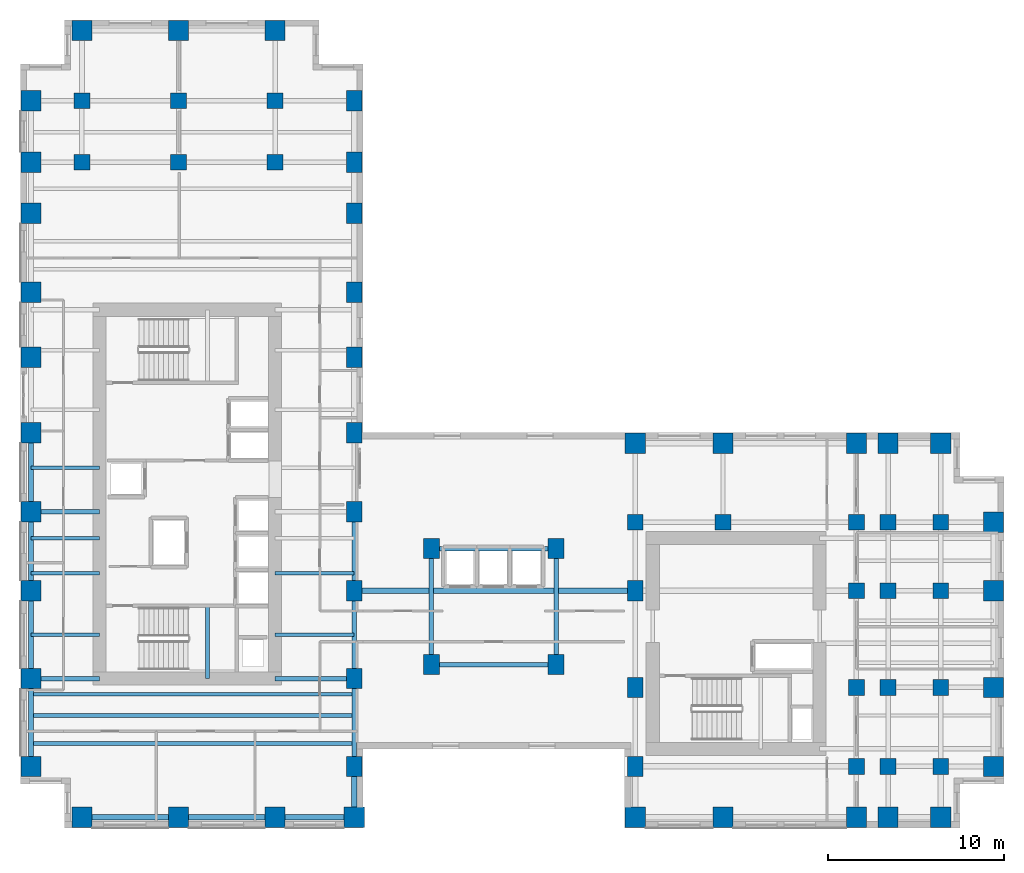
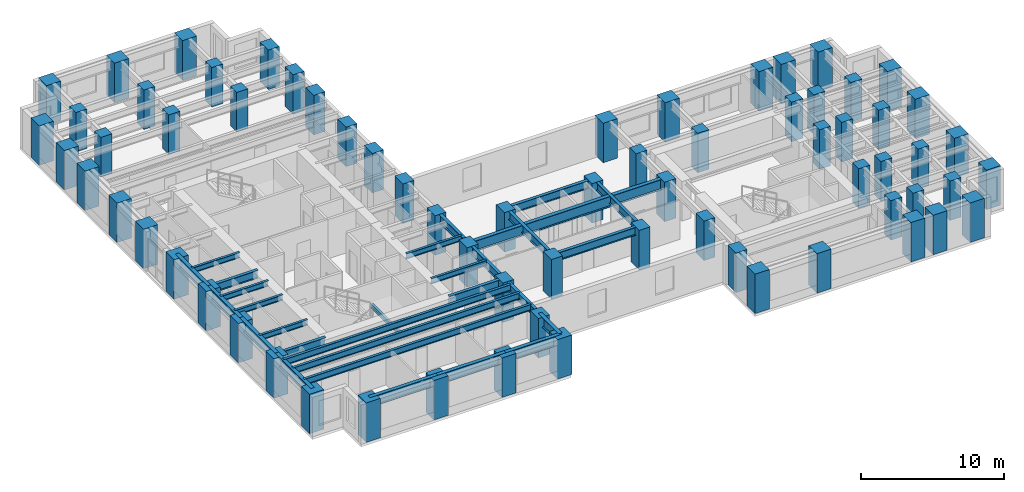
# One storey, part 1 of 14: 68 columns, 29 beams.
"""IFC4 building model written with IfcOpenShell, lengths in metres."""

from ifc_helpers import new_model, si_unit, direction, frame, origin, origin_2d, place, context, subcontext, project, spatial, rectangle, i_section, extrude, source, transform, mapped, material, material_profile, profile_set, type_object, element, save


model = new_model("IFC4")

# Units and contexts
model_context = context("Model", 3, precision=1e-05, world=origin(), true_north=direction((0.0, 1.0)))
body_context = subcontext(model_context, "Body", "Model", "MODEL_VIEW")
ifc_project = project(units=[si_unit("LENGTHUNIT", "METRE"), si_unit("AREAUNIT", "SQUARE_METRE"), si_unit("VOLUMEUNIT", "CUBIC_METRE"), si_unit("PLANEANGLEUNIT", "RADIAN"), si_unit("MASSUNIT", "GRAM", prefix="KILO")], contexts=[model_context])

# Site, building, storey
site_placement = place(None, origin())
site = spatial("IfcSite", under=ifc_project, at=site_placement, CompositionType="ELEMENT")
building_placement = place(site_placement, origin())
building = spatial("IfcBuilding", under=site, at=building_placement, Name="Kharzan Plaza Tower", CompositionType="ELEMENT")
storey_placement = place(building_placement, frame((0.0, 0.0, 81.0)))
storey = spatial("IfcBuildingStorey", under=building, at=storey_placement, Name="L21", CompositionType="ELEMENT", Elevation=81.0)

# Columns
ifc_material_1 = material(Name="Concrete C50/60", Category="concrete")
ifc_material_profile_1 = material_profile(ifc_material_1, rectangle(XDim=0.89990234375, YDim=0.89990234375, at=origin_2d()), Name="RC-IC900x900")
ifc_profile_set_1 = profile_set([ifc_material_profile_1], Name="Concrete C50/60")
column_type_1 = type_object("IfcColumnType", Name="COL-IC900", PredefinedType="COLUMN", material=ifc_profile_set_1)
shared_shape_1 = source(origin(), body_context, "Body", "SweptSolid", [
    extrude(rectangle(XDim=0.89990234375, YDim=0.89990234375, at=origin_2d()), origin(), (0.0, 0.0, 1.0), 3.3798828125),
])
for number, where, z_axis, x_axis, name in (
    (1, (47.60009765625, 13.5, 0.0), (0.0, 0.0, 1.0), (1.0, 0.0, 0.0), "L21 Structural Column TCBI-135"),
    (2, (47.60009765625, 3.5, 0.0), (0.0, 0.0, 1.0), (1.0, 0.0, 0.0), "L21 Structural Column TCBI-35"),
    (3, (47.60009765625, 8.0, 0.0), (0.0, 0.0, 1.0), (1.0, 0.0, 0.0), "L21 Structural Column TCBI-80"),
    (4, (35.0, 17.39990234375, 0.0), (0.0, 0.0, 1.0), (1.0, 0.0, 0.0), "L21 Structural Column TCBN-350-174"),
    (5, (40.0, 17.39990234375, 0.0), (0.0, 0.0, 1.0), (1.0, 0.0, 0.0), "L21 Structural Column TCBN-400-174"),
    (6, (47.60009765625, 17.39990234375, 0.0), (0.0, 0.0, 1.0), (1.0, 0.0, 0.0), "L21 Structural Column TCBN-476-174"),
    (7, (49.39990234375, 13.5, 0.0), (0.0, 0.0, 1.0), (1.0, 0.0, 0.0), "L21 Structural Column TCE-494-135"),
    (8, (49.39990234375, 17.39990234375, 0.0), (0.0, 0.0, 1.0), (1.0, 0.0, 0.0), "L21 Structural Column TCE-494-174"),
    (9, (49.39990234375, 3.5, 0.0), (0.0, 0.0, 1.0), (1.0, 0.0, 0.0), "L21 Structural Column TCE-494-35"),
    (10, (49.39990234375, 8.0, 0.0), (0.0, 0.0, 1.0), (1.0, 0.0, 0.0), "L21 Structural Column TCE-494-80"),
    (11, (52.39990234375, 13.5, 0.0), (0.0, 0.0, 1.0), (1.0, 0.0, 0.0), "L21 Structural Column TCE-524-135"),
    (12, (52.39990234375, 17.39990234375, 0.0), (0.0, 0.0, 1.0), (1.0, 0.0, 0.0), "L21 Structural Column TCE-524-174"),
    (13, (52.39990234375, 3.5, 0.0), (0.0, 0.0, 1.0), (1.0, 0.0, 0.0), "L21 Structural Column TCE-524-35"),
    (14, (52.39990234375, 8.0, 0.0), (0.0, 0.0, 1.0), (1.0, 0.0, 0.0), "L21 Structural Column TCE-524-80"),
    (15, (14.5, 37.89990234375, 0.0), (0.0, 0.0, 1.0), (1.0, 0.0, 0.0), "L21 Structural Column TCN-145-379"),
    (16, (14.5, 41.39990234375, 0.0), (0.0, 0.0, 1.0), (1.0, 0.0, 0.0), "L21 Structural Column TCN-145-414"),
    (17, (3.5, 37.89990234375, 0.0), (0.0, 0.0, 1.0), (1.0, 0.0, 0.0), "L21 Structural Column TCN-35-379"),
    (18, (3.5, 41.39990234375, 0.0), (0.0, 0.0, 1.0), (1.0, 0.0, 0.0), "L21 Structural Column TCN-35-414"),
    (19, (9.0, 37.89990234375, 0.0), (0.0, 0.0, 1.0), (1.0, 0.0, 0.0), "L21 Structural Column TCN-90-379"),
    (20, (9.0, 41.39990234375, 0.0), (0.0, 0.0, 1.0), (1.0, 0.0, 0.0), "L21 Structural Column TCN-90-414"),
):
    element("IfcColumn", number, at=place(storey_placement, frame(where, z_axis=z_axis, x_axis=x_axis)), inside=storey, type_object=column_type_1, Name=name, PredefinedType="COLUMN", context=body_context, shape_type="MappedRepresentation", body=[
        mapped(shared_shape_1, transform((0.0, 0.0, 0.0), x_axis=(1.0, 0.0, 0.0), y_axis=(0.0, 1.0, 0.0), z_axis=(0.0, 0.0, 1.0))),
    ])
ifc_material_2 = material(Name="Concrete C60/75", Category="concrete")
ifc_material_profile_2 = material_profile(ifc_material_2, rectangle(XDim=0.89990234375, YDim=1.14990234375, at=origin_2d()), Name="RC-SC1150x900")
ifc_profile_set_2 = profile_set([ifc_material_profile_2], Name="Concrete C60/75")
column_type_2 = type_object("IfcColumnType", Name="COL-SC1150", PredefinedType="COLUMN", material=ifc_profile_set_2)
shared_shape_2 = source(origin(), body_context, "Body", "SweptSolid", [
    extrude(rectangle(XDim=0.89990234375, YDim=1.14990234375, at=origin_2d()), origin(), (0.0, 0.0, 1.0), 3.3798828125),
])
for number, where, z_axis, x_axis, name in (
    (21, (19.0, 13.5, 0.0), (0.0, 0.0, 1.0), (1.0, 0.0, 0.0), "L21 Structural Column TCA-135"),
    (22, (19.0, 18.0, 0.0), (0.0, 0.0, 1.0), (1.0, 0.0, 0.0), "L21 Structural Column TCA-180"),
    (23, (19.0, 22.5, 0.0), (0.0, 0.0, 1.0), (1.0, 0.0, 0.0), "L21 Structural Column TCA-225"),
    (24, (19.0, 26.800048828125, 0.0), (0.0, 0.0, 1.0), (1.0, 0.0, 0.0), "L21 Structural Column TCA-268"),
    (25, (19.0, 30.5, 0.0), (0.0, 0.0, 1.0), (1.0, 0.0, 0.0), "L21 Structural Column TCA-305"),
    (26, (19.0, 3.5, 0.0), (0.0, 0.0, 1.0), (1.0, 0.0, 0.0), "L21 Structural Column TCA-35"),
    (27, (19.0, 35.0, 0.0), (0.0, 0.0, 1.0), (1.0, 0.0, 0.0), "L21 Structural Column TCA-350"),
    (28, (19.0, 37.89990234375, 0.0), (0.0, 0.0, 1.0), (1.0, 0.0, 0.0), "L21 Structural Column TCA-379"),
    (29, (19.0, 41.39990234375, 0.0), (0.0, 0.0, 1.0), (1.0, 0.0, 0.0), "L21 Structural Column TCA-414"),
    (30, (19.0, 8.5, 0.0), (0.0, 0.0, 1.0), (1.0, 0.0, 0.0), "L21 Structural Column TCA-85"),
    (31, (35.0, 13.5, 0.0), (0.0, 0.0, 1.0), (1.0, 0.0, 0.0), "L21 Structural Column TCBS-135"),
    (32, (35.0, 3.5, 0.0), (0.0, 0.0, 1.0), (1.0, 0.0, 0.0), "L21 Structural Column TCBS-35"),
    (33, (35.0, 8.0, 0.0), (0.0, 0.0, 1.0), (1.0, 0.0, 0.0), "L21 Structural Column TCBS-80"),
    (34, (23.39990234375, 15.89990234375, 0.0), (0.0, 0.0, 1.0), (1.0, 0.0, 0.0), "L21 Structural Column TCSP-234-159"),
    (35, (23.39990234375, 9.300048828125, 0.0), (0.0, 0.0, 1.0), (1.0, 0.0, 0.0), "L21 Structural Column TCSP-234-93"),
    (36, (30.5, 15.89990234375, 0.0), (0.0, 0.0, 1.0), (1.0, 0.0, 0.0), "L21 Structural Column TCSP-305-159"),
    (37, (30.5, 9.300048828125, 0.0), (0.0, 0.0, 1.0), (1.0, 0.0, 0.0), "L21 Structural Column TCSP-305-93"),
):
    element("IfcColumn", number, at=place(storey_placement, frame(where, z_axis=z_axis, x_axis=x_axis)), inside=storey, type_object=column_type_2, Name=name, PredefinedType="COLUMN", context=body_context, shape_type="MappedRepresentation", body=[
        mapped(shared_shape_2, transform((0.0, 0.0, 0.0), x_axis=(1.0, 0.0, 0.0), y_axis=(0.0, 1.0, 0.0), z_axis=(0.0, 0.0, 1.0))),
    ])
ifc_material_profile_3 = material_profile(ifc_material_2, rectangle(XDim=1.14990234375, YDim=1.14990234375, at=origin_2d()), Name="RC-TC1150x1150")
ifc_profile_set_3 = profile_set([ifc_material_profile_3], Name="Concrete C60/75")
column_type_3 = type_object("IfcColumnType", Name="COL-TC1150", PredefinedType="COLUMN", material=ifc_profile_set_3)
shared_shape_3 = source(origin(), body_context, "Body", "SweptSolid", [
    extrude(rectangle(XDim=1.14990234375, YDim=1.14990234375, at=origin_2d()), origin(), (0.0, 0.0, 1.0), 3.3798828125),
])
for number, where, z_axis, x_axis, name in (
    (38, (35.0, 21.89990234375, 0.0), (0.0, 0.0, 1.0), (1.0, 0.0, 0.0), "L21 Structural Column TCBN-350-219"),
    (39, (40.0, 21.89990234375, 0.0), (0.0, 0.0, 1.0), (1.0, 0.0, 0.0), "L21 Structural Column TCBN-400-219"),
    (40, (47.60009765625, 21.89990234375, 0.0), (0.0, 0.0, 1.0), (1.0, 0.0, 0.0), "L21 Structural Column TCBN-476-219"),
    (41, (49.39990234375, 21.89990234375, 0.0), (0.0, 0.0, 1.0), (1.0, 0.0, 0.0), "L21 Structural Column TCBN-494-219"),
    (42, (52.39990234375, 21.89990234375, 0.0), (0.0, 0.0, 1.0), (1.0, 0.0, 0.0), "L21 Structural Column TCBN-524-219"),
    (43, (55.39990234375, 13.5, 0.0), (0.0, 0.0, 1.0), (1.0, 0.0, 0.0), "L21 Structural Column TCE-554-135"),
    (44, (55.39990234375, 17.39990234375, 0.0), (0.0, 0.0, 1.0), (1.0, 0.0, 0.0), "L21 Structural Column TCE-554-174"),
    (45, (55.39990234375, 3.5, 0.0), (0.0, 0.0, 1.0), (1.0, 0.0, 0.0), "L21 Structural Column TCE-554-35"),
    (46, (55.39990234375, 8.0, 0.0), (0.0, 0.0, 1.0), (1.0, 0.0, 0.0), "L21 Structural Column TCE-554-80"),
    (47, (14.5, 45.39990234375, 0.0), (0.0, 0.0, 1.0), (1.0, 0.0, 0.0), "L21 Structural Column TCN-145-454"),
    (48, (3.5, 45.39990234375, 0.0), (0.0, 0.0, 1.0), (1.0, 0.0, 0.0), "L21 Structural Column TCN-35-454"),
    (49, (9.0, 45.39990234375, 0.0), (0.0, 0.0, 1.0), (1.0, 0.0, 0.0), "L21 Structural Column TCN-90-454"),
    (50, (14.5, 0.60009765625, 0.0), (0.0, 0.0, 1.0), (1.0, 0.0, 0.0), "L21 Structural Column TCS-145"),
    (51, (19.0, 0.60009765625, 0.0), (0.0, 0.0, 1.0), (1.0, 0.0, 0.0), "L21 Structural Column TCS-190"),
    (52, (3.5, 0.60009765625, 0.0), (0.0, 0.0, 1.0), (1.0, 0.0, 0.0), "L21 Structural Column TCS-35"),
    (53, (35.0, 0.60009765625, 0.0), (0.0, 0.0, 1.0), (1.0, 0.0, 0.0), "L21 Structural Column TCS-350"),
    (54, (40.0, 0.60009765625, 0.0), (0.0, 0.0, 1.0), (1.0, 0.0, 0.0), "L21 Structural Column TCS-400"),
    (55, (47.60009765625, 0.60009765625, 0.0), (0.0, 0.0, 1.0), (1.0, 0.0, 0.0), "L21 Structural Column TCS-476"),
    (56, (49.39990234375, 0.60009765625, 0.0), (0.0, 0.0, 1.0), (1.0, 0.0, 0.0), "L21 Structural Column TCS-494"),
    (57, (52.39990234375, 0.60009765625, 0.0), (0.0, 0.0, 1.0), (1.0, 0.0, 0.0), "L21 Structural Column TCS-524"),
    (58, (9.0, 0.60009765625, 0.0), (0.0, 0.0, 1.0), (1.0, 0.0, 0.0), "L21 Structural Column TCS-90"),
    (59, (0.60009765625, 13.5, 0.0), (0.0, 0.0, 1.0), (1.0, 0.0, 0.0), "L21 Structural Column TCW-135"),
    (60, (0.60009765625, 18.0, 0.0), (0.0, 0.0, 1.0), (1.0, 0.0, 0.0), "L21 Structural Column TCW-180"),
    (61, (0.60009765625, 22.5, 0.0), (0.0, 0.0, 1.0), (1.0, 0.0, 0.0), "L21 Structural Column TCW-225"),
    (62, (0.60009765625, 26.800048828125, 0.0), (0.0, 0.0, 1.0), (1.0, 0.0, 0.0), "L21 Structural Column TCW-268"),
    (63, (0.60009765625, 30.5, 0.0), (0.0, 0.0, 1.0), (1.0, 0.0, 0.0), "L21 Structural Column TCW-305"),
    (64, (0.60009765625, 3.5, 0.0), (0.0, 0.0, 1.0), (1.0, 0.0, 0.0), "L21 Structural Column TCW-35"),
    (65, (0.60009765625, 35.0, 0.0), (0.0, 0.0, 1.0), (1.0, 0.0, 0.0), "L21 Structural Column TCW-350"),
    (66, (0.60009765625, 37.89990234375, 0.0), (0.0, 0.0, 1.0), (1.0, 0.0, 0.0), "L21 Structural Column TCW-379"),
    (67, (0.60009765625, 41.39990234375, 0.0), (0.0, 0.0, 1.0), (1.0, 0.0, 0.0), "L21 Structural Column TCW-414"),
    (68, (0.60009765625, 8.5, 0.0), (0.0, 0.0, 1.0), (1.0, 0.0, 0.0), "L21 Structural Column TCW-85"),
):
    element("IfcColumn", number, at=place(storey_placement, frame(where, z_axis=z_axis, x_axis=x_axis)), inside=storey, type_object=column_type_3, Name=name, PredefinedType="COLUMN", context=body_context, shape_type="MappedRepresentation", body=[
        mapped(shared_shape_3, transform((0.0, 0.0, 0.0), x_axis=(1.0, 0.0, 0.0), y_axis=(0.0, 1.0, 0.0), z_axis=(0.0, 0.0, 1.0))),
    ])

# Beams
ifc_material_3 = material(Name="Steel S355", Category="steel")
ifc_material_profile_4 = material_profile(ifc_material_3, i_section(OverallWidth=0.205078125, OverallDepth=0.35400390625, WebThickness=0.009521484375, FlangeThickness=0.016845703125, at=origin_2d()), Name="W360x79")
ifc_profile_set_4 = profile_set([ifc_material_profile_4], Name="Steel S355")
beam_type_1 = type_object("IfcBeamType", Name="BM-LNT360", PredefinedType="LINTEL", material=ifc_profile_set_4)
shared_shape_4 = source(origin(), body_context, "Body", "SweptSolid", [
    extrude(i_section(OverallWidth=0.205078125, OverallDepth=0.35400390625, WebThickness=0.009521484375, FlangeThickness=0.016845703125, at=origin_2d()), origin(), (0.0, 0.0, 1.0), 4.155029296875),
])
beam_1_placement = place(storey_placement, frame((10.64990234375, 8.5, 1.423095703125), z_axis=(0.0, 1.0, 0.0), x_axis=(-1.0, 0.0, 0.0)))
element("IfcBeam", 69, at=beam_1_placement, inside=storey, type_object=beam_type_1, Name="L21 Stair ST-1 Half-Landing Beam", PredefinedType="LINTEL", context=body_context, shape_type="MappedRepresentation", body=[
    mapped(shared_shape_4, transform((0.0, 0.0, 0.0), x_axis=(1.0, 0.0, 0.0), y_axis=(0.0, 1.0, 0.0), z_axis=(0.0, 0.0, 1.0))),
])
ifc_material_profile_5 = material_profile(ifc_material_3, i_section(OverallWidth=0.304931640625, OverallDepth=0.9189453125, WebThickness=0.017333984375, FlangeThickness=0.02783203125, at=origin_2d()), Name="W920x253")
ifc_profile_set_5 = profile_set([ifc_material_profile_5], Name="Steel S355")
beam_type_2 = type_object("IfcBeamType", Name="BM-FG920B", PredefinedType="BEAM", material=ifc_profile_set_5)
shared_shape_5 = source(origin(), body_context, "Body", "SweptSolid", [
    extrude(i_section(OverallWidth=0.304931640625, OverallDepth=0.9189453125, WebThickness=0.017333984375, FlangeThickness=0.02783203125, at=origin_2d()), origin(), (0.0, 0.0, 1.0), 16.0),
])
beam_2_placement = place(storey_placement, frame((19.0, 13.5, 2.92041015625), z_axis=(1.0, 0.0, 0.0), x_axis=(0.0, 1.0, 0.0)))
element("IfcBeam", 70, at=beam_2_placement, inside=storey, type_object=beam_type_2, Name="L21 Primary Floor Girder", PredefinedType="BEAM", context=body_context, shape_type="MappedRepresentation", body=[
    mapped(shared_shape_5, transform((0.0, 0.0, 0.0), x_axis=(1.0, 0.0, 0.0), y_axis=(0.0, 1.0, 0.0), z_axis=(0.0, 0.0, 1.0))),
])
ifc_material_profile_6 = material_profile(ifc_material_3, i_section(OverallWidth=0.2099609375, OverallDepth=0.537109375, WebThickness=0.010986328125, FlangeThickness=0.017333984375, at=origin_2d()), Name="W530x101")
ifc_profile_set_6 = profile_set([ifc_material_profile_6], Name="Steel S355")
beam_type_3 = type_object("IfcBeamType", Name="BM-JST530B", PredefinedType="JOIST", material=ifc_profile_set_6)
shared_shape_6 = source(origin(), body_context, "Body", "SweptSolid", [
    extrude(i_section(OverallWidth=0.2099609375, OverallDepth=0.537109375, WebThickness=0.010986328125, FlangeThickness=0.017333984375, at=origin_2d()), origin(), (0.0, 0.0, 1.0), 18.39990234375),
])
for number, where, z_axis, x_axis, name in (
    (71, (0.60009765625, 4.800048828125, 3.111572265625), (1.0, 0.0, 0.0), (0.0, 1.0, 0.0), "L21 Wing A Composite Joist 01"),
    (72, (0.60009765625, 6.39990234375, 3.111572265625), (1.0, 0.0, 0.0), (0.0, 1.0, 0.0), "L21 Wing A Composite Joist 02"),
    (73, (0.60009765625, 7.60009765625, 3.111572265625), (1.0, 0.0, 0.0), (0.0, 1.0, 0.0), "L21 Wing A Composite Joist 03"),
):
    element("IfcBeam", number, at=place(storey_placement, frame(where, z_axis=z_axis, x_axis=x_axis)), inside=storey, type_object=beam_type_3, Name=name, PredefinedType="JOIST", context=body_context, shape_type="MappedRepresentation", body=[
        mapped(shared_shape_6, transform((0.0, 0.0, 0.0), x_axis=(1.0, 0.0, 0.0), y_axis=(0.0, 1.0, 0.0), z_axis=(0.0, 0.0, 1.0))),
    ])
ifc_material_profile_7 = material_profile(ifc_material_3, i_section(OverallWidth=0.194091796875, OverallDepth=0.468994140625, WebThickness=0.011474609375, FlangeThickness=0.0205078125, at=origin_2d()), Name="W460x106")
ifc_profile_set_7 = profile_set([ifc_material_profile_7], Name="Steel S355")
beam_type_4 = type_object("IfcBeamType", Name="BM-JST460", PredefinedType="JOIST", material=ifc_profile_set_7)
shared_shape_7 = source(origin(), body_context, "Body", "SweptSolid", [
    extrude(i_section(OverallWidth=0.194091796875, OverallDepth=0.468994140625, WebThickness=0.011474609375, FlangeThickness=0.0205078125, at=origin_2d()), origin(), (0.0, 0.0, 1.0), 4.5),
])
for number, where, z_axis, x_axis, name in (
    (74, (14.5, 11.0, 3.1455078125), (1.0, 0.0, 0.0), (0.0, 1.0, 0.0), "L21 Wing A East Infill Joist 1"),
    (75, (14.5, 14.5, 3.1455078125), (1.0, 0.0, 0.0), (0.0, 1.0, 0.0), "L21 Wing A East Infill Joist 2"),
):
    element("IfcBeam", number, at=place(storey_placement, frame(where, z_axis=z_axis, x_axis=x_axis)), inside=storey, type_object=beam_type_4, Name=name, PredefinedType="JOIST", context=body_context, shape_type="MappedRepresentation", body=[
        mapped(shared_shape_7, transform((0.0, 0.0, 0.0), x_axis=(1.0, 0.0, 0.0), y_axis=(0.0, 1.0, 0.0), z_axis=(0.0, 0.0, 1.0))),
    ])
shared_shape_8 = source(origin(), body_context, "Body", "SweptSolid", [
    extrude(i_section(OverallWidth=0.194091796875, OverallDepth=0.468994140625, WebThickness=0.011474609375, FlangeThickness=0.0205078125, at=origin_2d()), origin(), (0.0, 0.0, 1.0), 3.89990234375),
])
for number, where, z_axis, x_axis, name in (
    (76, (0.60009765625, 11.0, 3.1455078125), (1.0, 0.0, 0.0), (0.0, 1.0, 0.0), "L21 Wing A West Infill Joist 1"),
    (77, (0.60009765625, 14.5, 3.1455078125), (1.0, 0.0, 0.0), (0.0, 1.0, 0.0), "L21 Wing A West Infill Joist 2"),
    (78, (0.60009765625, 16.5, 3.1455078125), (1.0, 0.0, 0.0), (0.0, 1.0, 0.0), "L21 Wing A West Infill Joist 3"),
    (79, (0.60009765625, 20.5, 3.1455078125), (1.0, 0.0, 0.0), (0.0, 1.0, 0.0), "L21 Wing A West Infill Joist 4"),
):
    element("IfcBeam", number, at=place(storey_placement, frame(where, z_axis=z_axis, x_axis=x_axis)), inside=storey, type_object=beam_type_4, Name=name, PredefinedType="JOIST", context=body_context, shape_type="MappedRepresentation", body=[
        mapped(shared_shape_8, transform((0.0, 0.0, 0.0), x_axis=(1.0, 0.0, 0.0), y_axis=(0.0, 1.0, 0.0), z_axis=(0.0, 0.0, 1.0))),
    ])
ifc_material_profile_8 = material_profile(ifc_material_3, i_section(OverallWidth=0.25390625, OverallDepth=0.68798828125, WebThickness=0.01318359375, FlangeThickness=0.02099609375, at=origin_2d()), Name="W690x152")
ifc_profile_set_8 = profile_set([ifc_material_profile_8], Name="Steel S355")
beam_type_5 = type_object("IfcBeamType", Name="BM-FG690B", PredefinedType="BEAM", material=ifc_profile_set_8)
shared_shape_9 = source(origin(), body_context, "Body", "SweptSolid", [
    extrude(i_section(OverallWidth=0.25390625, OverallDepth=0.68798828125, WebThickness=0.01318359375, FlangeThickness=0.02099609375, at=origin_2d()), origin(), (0.0, 0.0, 1.0), 4.5),
])
for number, where, z_axis, x_axis, name in (
    (80, (14.5, 8.5, 3.035888671875), (1.0, 0.0, 0.0), (0.0, 1.0, 0.0), "L21 Core-A East Floor Girder 1"),
    (81, (19.0, 13.5, 3.035888671875), (0.0, 1.0, 0.0), (-1.0, 0.0, 0.0), "L21 Interior Frame Girder"),
):
    element("IfcBeam", number, at=place(storey_placement, frame(where, z_axis=z_axis, x_axis=x_axis)), inside=storey, type_object=beam_type_5, Name=name, PredefinedType="BEAM", context=body_context, shape_type="MappedRepresentation", body=[
        mapped(shared_shape_9, transform((0.0, 0.0, 0.0), x_axis=(1.0, 0.0, 0.0), y_axis=(0.0, 1.0, 0.0), z_axis=(0.0, 0.0, 1.0))),
    ])
shared_shape_10 = source(origin(), body_context, "Body", "SweptSolid", [
    extrude(i_section(OverallWidth=0.25390625, OverallDepth=0.68798828125, WebThickness=0.01318359375, FlangeThickness=0.02099609375, at=origin_2d()), origin(), (0.0, 0.0, 1.0), 3.89990234375),
])
for number, where, z_axis, x_axis, name in (
    (82, (0.60009765625, 8.5, 3.035888671875), (1.0, 0.0, 0.0), (0.0, 1.0, 0.0), "L21 Core-A West Floor Girder 1"),
    (83, (0.60009765625, 18.0, 3.035888671875), (1.0, 0.0, 0.0), (0.0, 1.0, 0.0), "L21 Core-A West Floor Girder 2"),
):
    element("IfcBeam", number, at=place(storey_placement, frame(where, z_axis=z_axis, x_axis=x_axis)), inside=storey, type_object=beam_type_5, Name=name, PredefinedType="BEAM", context=body_context, shape_type="MappedRepresentation", body=[
        mapped(shared_shape_10, transform((0.0, 0.0, 0.0), x_axis=(1.0, 0.0, 0.0), y_axis=(0.0, 1.0, 0.0), z_axis=(0.0, 0.0, 1.0))),
    ])
shared_shape_11 = source(origin(), body_context, "Body", "SweptSolid", [
    extrude(i_section(OverallWidth=0.25390625, OverallDepth=0.68798828125, WebThickness=0.01318359375, FlangeThickness=0.02099609375, at=origin_2d()), origin(), (0.0, 0.0, 1.0), 5.0),
])
for number, where, z_axis, x_axis, name in (
    (84, (19.0, 3.5, 3.035888671875), (0.0, 1.0, 0.0), (-1.0, 0.0, 0.0), "L21 Interior Frame Girder"),
    (85, (19.0, 8.5, 3.035888671875), (0.0, 1.0, 0.0), (-1.0, 0.0, 0.0), "L21 Interior Frame Girder"),
):
    element("IfcBeam", number, at=place(storey_placement, frame(where, z_axis=z_axis, x_axis=x_axis)), inside=storey, type_object=beam_type_5, Name=name, PredefinedType="BEAM", context=body_context, shape_type="MappedRepresentation", body=[
        mapped(shared_shape_11, transform((0.0, 0.0, 0.0), x_axis=(1.0, 0.0, 0.0), y_axis=(0.0, 1.0, 0.0), z_axis=(0.0, 0.0, 1.0))),
    ])
shared_shape_12 = source(origin(), body_context, "Body", "SweptSolid", [
    extrude(i_section(OverallWidth=0.25390625, OverallDepth=0.68798828125, WebThickness=0.01318359375, FlangeThickness=0.02099609375, at=origin_2d()), origin(), (0.0, 0.0, 1.0), 6.599853515625),
])
for number, where, z_axis, x_axis, name in (
    (86, (23.39990234375, 9.300048828125, 3.035888671875), (0.0, 1.0, 0.0), (-1.0, 0.0, 0.0), "L21 Interior Frame Girder"),
    (87, (30.5, 9.300048828125, 3.035888671875), (0.0, 1.0, 0.0), (-1.0, 0.0, 0.0), "L21 Interior Frame Girder"),
):
    element("IfcBeam", number, at=place(storey_placement, frame(where, z_axis=z_axis, x_axis=x_axis)), inside=storey, type_object=beam_type_5, Name=name, PredefinedType="BEAM", context=body_context, shape_type="MappedRepresentation", body=[
        mapped(shared_shape_12, transform((0.0, 0.0, 0.0), x_axis=(1.0, 0.0, 0.0), y_axis=(0.0, 1.0, 0.0), z_axis=(0.0, 0.0, 1.0))),
    ])
shared_shape_13 = source(origin(), body_context, "Body", "SweptSolid", [
    extrude(i_section(OverallWidth=0.25390625, OverallDepth=0.68798828125, WebThickness=0.01318359375, FlangeThickness=0.02099609375, at=origin_2d()), origin(), (0.0, 0.0, 1.0), 7.10009765625),
])
for number, where, z_axis, x_axis, name in (
    (88, (23.39990234375, 9.300048828125, 3.035888671875), (1.0, 0.0, 0.0), (0.0, 1.0, 0.0), "L21 Primary Floor Girder"),
    (89, (23.39990234375, 15.89990234375, 3.035888671875), (1.0, 0.0, 0.0), (0.0, 1.0, 0.0), "L21 Primary Floor Girder"),
):
    element("IfcBeam", number, at=place(storey_placement, frame(where, z_axis=z_axis, x_axis=x_axis)), inside=storey, type_object=beam_type_5, Name=name, PredefinedType="BEAM", context=body_context, shape_type="MappedRepresentation", body=[
        mapped(shared_shape_13, transform((0.0, 0.0, 0.0), x_axis=(1.0, 0.0, 0.0), y_axis=(0.0, 1.0, 0.0), z_axis=(0.0, 0.0, 1.0))),
    ])
ifc_material_profile_9 = material_profile(ifc_material_3, i_section(OverallWidth=0.299072265625, OverallDepth=0.845947265625, WebThickness=0.015380859375, FlangeThickness=0.0244140625, at=origin_2d()), Name="W840x210")
ifc_profile_set_9 = profile_set([ifc_material_profile_9], Name="Steel S355")
beam_type_6 = type_object("IfcBeamType", Name="BM-SP840B", PredefinedType="SPANDREL", material=ifc_profile_set_9)
shared_shape_14 = source(origin(), body_context, "Body", "SweptSolid", [
    extrude(i_section(OverallWidth=0.299072265625, OverallDepth=0.845947265625, WebThickness=0.015380859375, FlangeThickness=0.0244140625, at=origin_2d()), origin(), (0.0, 0.0, 1.0), 5.0),
])
for number, where, z_axis, x_axis, name in (
    (90, (0.60009765625, 3.5, 2.95703125), (0.0, 1.0, 0.0), (-1.0, 0.0, 0.0), "L21 Perimeter Tube Spandrel"),
    (91, (0.60009765625, 8.5, 2.95703125), (0.0, 1.0, 0.0), (-1.0, 0.0, 0.0), "L21 Perimeter Tube Spandrel"),
):
    element("IfcBeam", number, at=place(storey_placement, frame(where, z_axis=z_axis, x_axis=x_axis)), inside=storey, type_object=beam_type_6, Name=name, PredefinedType="SPANDREL", context=body_context, shape_type="MappedRepresentation", body=[
        mapped(shared_shape_14, transform((0.0, 0.0, 0.0), x_axis=(1.0, 0.0, 0.0), y_axis=(0.0, 1.0, 0.0), z_axis=(0.0, 0.0, 1.0))),
    ])
shared_shape_15 = source(origin(), body_context, "Body", "SweptSolid", [
    extrude(i_section(OverallWidth=0.299072265625, OverallDepth=0.845947265625, WebThickness=0.015380859375, FlangeThickness=0.0244140625, at=origin_2d()), origin(), (0.0, 0.0, 1.0), 4.5),
])
for number, where, z_axis, x_axis, name in (
    (92, (0.60009765625, 13.5, 2.95703125), (0.0, 1.0, 0.0), (-1.0, 0.0, 0.0), "L21 Perimeter Tube Spandrel"),
    (93, (0.60009765625, 18.0, 2.95703125), (0.0, 1.0, 0.0), (-1.0, 0.0, 0.0), "L21 Perimeter Tube Spandrel"),
    (94, (14.5, 0.60009765625, 2.95703125), (1.0, 0.0, 0.0), (0.0, 1.0, 0.0), "L21 Perimeter Tube Spandrel"),
):
    element("IfcBeam", number, at=place(storey_placement, frame(where, z_axis=z_axis, x_axis=x_axis)), inside=storey, type_object=beam_type_6, Name=name, PredefinedType="SPANDREL", context=body_context, shape_type="MappedRepresentation", body=[
        mapped(shared_shape_15, transform((0.0, 0.0, 0.0), x_axis=(1.0, 0.0, 0.0), y_axis=(0.0, 1.0, 0.0), z_axis=(0.0, 0.0, 1.0))),
    ])
shared_shape_16 = source(origin(), body_context, "Body", "SweptSolid", [
    extrude(i_section(OverallWidth=0.299072265625, OverallDepth=0.845947265625, WebThickness=0.015380859375, FlangeThickness=0.0244140625, at=origin_2d()), origin(), (0.0, 0.0, 1.0), 2.89990234375),
])
beam_3_placement = place(storey_placement, frame((19.0, 0.60009765625, 2.95703125), z_axis=(0.0, 1.0, 0.0), x_axis=(-1.0, 0.0, 0.0)))
element("IfcBeam", 95, at=beam_3_placement, inside=storey, type_object=beam_type_6, Name="L21 Perimeter Tube Spandrel", PredefinedType="SPANDREL", context=body_context, shape_type="MappedRepresentation", body=[
    mapped(shared_shape_16, transform((0.0, 0.0, 0.0), x_axis=(1.0, 0.0, 0.0), y_axis=(0.0, 1.0, 0.0), z_axis=(0.0, 0.0, 1.0))),
])
shared_shape_17 = source(origin(), body_context, "Body", "SweptSolid", [
    extrude(i_section(OverallWidth=0.299072265625, OverallDepth=0.845947265625, WebThickness=0.015380859375, FlangeThickness=0.0244140625, at=origin_2d()), origin(), (0.0, 0.0, 1.0), 5.5),
])
for number, where, z_axis, x_axis, name in (
    (96, (3.5, 0.60009765625, 2.95703125), (1.0, 0.0, 0.0), (0.0, 1.0, 0.0), "L21 Perimeter Tube Spandrel"),
    (97, (9.0, 0.60009765625, 2.95703125), (1.0, 0.0, 0.0), (0.0, 1.0, 0.0), "L21 Perimeter Tube Spandrel"),
):
    element("IfcBeam", number, at=place(storey_placement, frame(where, z_axis=z_axis, x_axis=x_axis)), inside=storey, type_object=beam_type_6, Name=name, PredefinedType="SPANDREL", context=body_context, shape_type="MappedRepresentation", body=[
        mapped(shared_shape_17, transform((0.0, 0.0, 0.0), x_axis=(1.0, 0.0, 0.0), y_axis=(0.0, 1.0, 0.0), z_axis=(0.0, 0.0, 1.0))),
    ])

save(model, "model.ifc")
